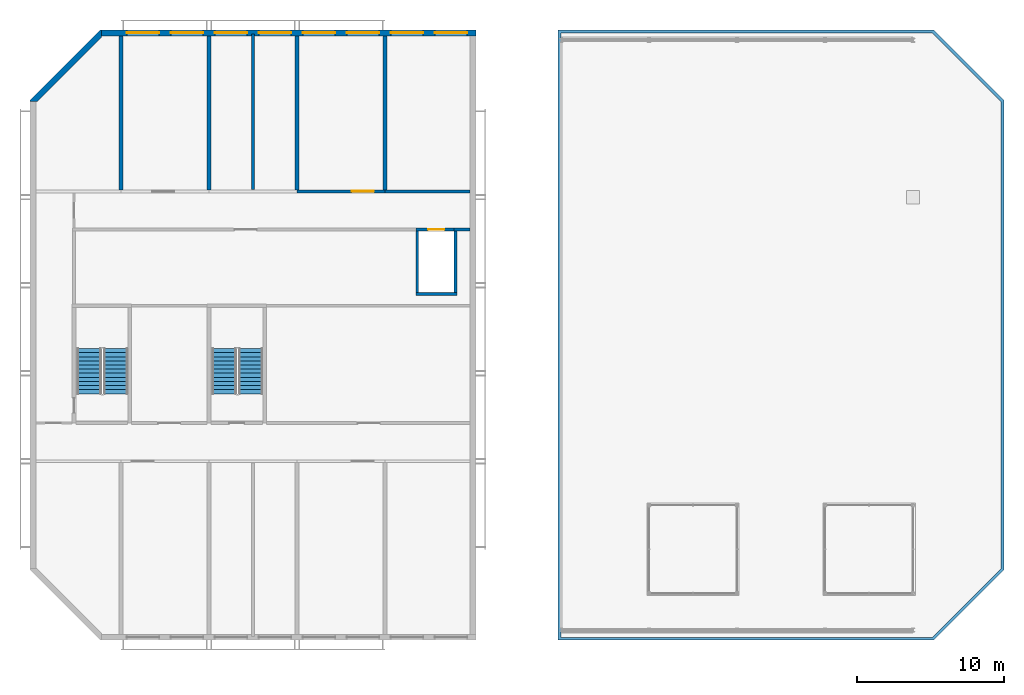
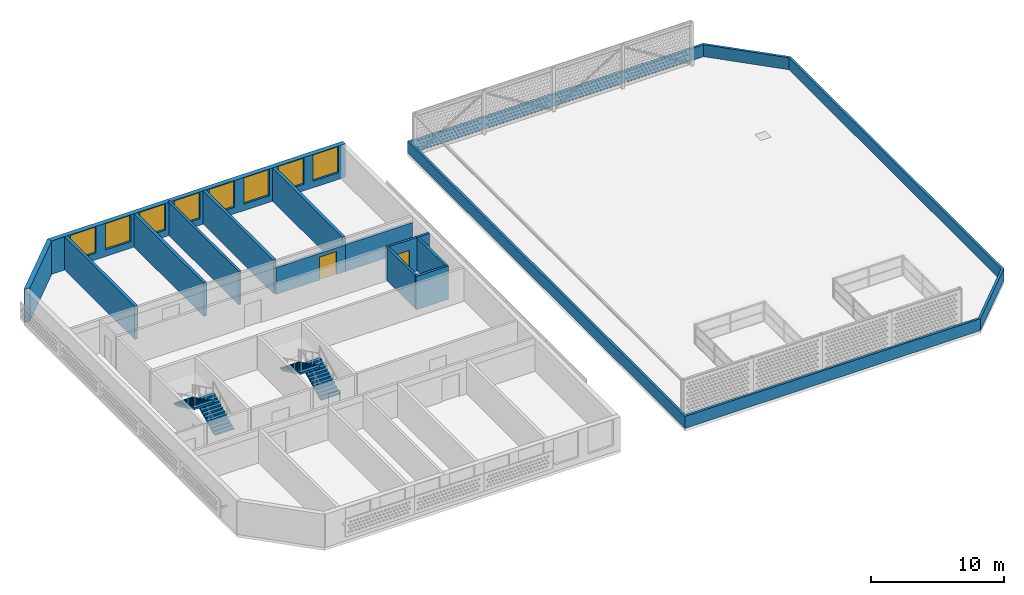
# One storey, part 9 of 18: 15 walls, 8 windows, 4 stair flights, 2 doors, 10 openings, 2 elements without a shape of their own.
"""IFC4 building model written with IfcOpenShell, lengths in metres."""

from ifc_helpers import new_model, si_unit, direction, frame, frame_2d, origin, place, context, subcontext, project, spatial, polyline, rectangle, outline, extrude, material, layer, layer_set, type_object, element, fill, aggregate, save


model = new_model("IFC4")

# Units and contexts
model_context = context("Model", 3, precision=1e-05, world=origin(), true_north=direction((0.0, 1.0)))
body_context = subcontext(model_context, "Body", "Model", "MODEL_VIEW")
ifc_project = project(units=[si_unit("LENGTHUNIT", "METRE"), si_unit("AREAUNIT", "SQUARE_METRE"), si_unit("VOLUMEUNIT", "CUBIC_METRE"), si_unit("PLANEANGLEUNIT", "RADIAN"), si_unit("MASSUNIT", "GRAM", prefix="KILO")], contexts=[model_context])

# Site, building, storey
site_placement = place(None, origin())
site = spatial("IfcSite", under=ifc_project, at=site_placement, CompositionType="ELEMENT")
building_placement = place(site_placement, origin())
building = spatial("IfcBuilding", under=site, at=building_placement, Name="Poui Terraces", CompositionType="ELEMENT")
storey_placement = place(building_placement, frame((0.0, 0.0, 285.60009765625)))
storey = spatial("IfcBuildingStorey", under=building, at=storey_placement, Name="L79 CROWN", CompositionType="ELEMENT", Elevation=285.60009765625)

# Wall, opening, door
ifc_material_1 = material(Name="Concrete 50 MPa", Category="concrete")
ifc_layer_1 = layer(ifc_material_1, 0.199951171875)
ifc_layer_set_1 = layer_set([ifc_layer_1], Name="Concrete 50 MPa")
wall_type_1 = type_object("IfcWallType", Name="CORRIDOR WALL 200 50MPa", PredefinedType="SHEAR", material=ifc_layer_set_1)
wall_1_placement = place(storey_placement, frame((36.0, 30.39990234375, 0.0), z_axis=(0.0, 0.0, 1.0), x_axis=(1.0, 0.0, 0.0)))
wall_1 = element("IfcWall", 1, at=wall_1_placement, inside=storey, type_object=wall_type_1, Name="CORRIDOR WALL LINE E BAY W4", PredefinedType="SHEAR", context=body_context, shape_type="SweptSolid", body=[
    extrude(rectangle(XDim=6.0, YDim=0.199951171875, at=frame_2d((3.0, 0.0))), origin(), (0.0, 0.0, 1.0), 2.449951171875),
])
opening_1_placement = place(wall_1_placement, frame((3.75, 0.0, 0.0)))
opening_1 = element("IfcOpeningElement", 2, at=opening_1_placement, cuts=wall_1, Name="Opening FDP", PredefinedType="OPENING", context=body_context, shape_type="SweptSolid", body=[
    extrude(rectangle(XDim=1.5, YDim=2.10009765625, at=frame_2d((0.75, 1.050048828125))), frame((0.0, 0.10986328125, 0.0), z_axis=(0.0, -1.0, 0.0), x_axis=(1.0, 0.0, 0.0)), (0.0, 0.0, 1.0), 0.219970703125),
])
ifc_material_2 = material(Name="Steel fire door", Category="steel")
door_type_1 = type_object("IfcDoorType", Name="PLANT ROOM DOOR PAIR 1500 X 2100", OperationType="DOUBLE_DOOR_SINGLE_SWING", PredefinedType="DOOR", material=ifc_material_2)
door_1_placement = place(opening_1_placement, frame((1.5, 0.0, 0.0), z_axis=(0.0, 0.0, 1.0), x_axis=(-1.0, 0.0, 0.0)))
door_1 = element("IfcDoor", 3, at=door_1_placement, inside=storey, type_object=door_type_1, Name="PLANT ROOM DOOR PAIR 003", OperationType="DOUBLE_DOOR_SINGLE_SWING", OverallHeight=2.10009765625, OverallWidth=1.5, PredefinedType="DOOR", context=body_context, shape_type="SweptSolid", body=[
    extrude(rectangle(XDim=1.5, YDim=2.10009765625, at=frame_2d((0.75, 1.050048828125))), frame((0.0, 0.02490234375, 0.0), z_axis=(0.0, -1.0, 0.0), x_axis=(1.0, 0.0, 0.0)), (0.0, 0.0, 1.0), 0.050048828125),
])
fill(opening_1, door_1)

# Walls
wall_2_placement = place(storey_placement, frame((42.0, 30.39990234375, 0.0), z_axis=(0.0, 0.0, 1.0), x_axis=(1.0, 0.0, 0.0)))
element("IfcWall", 4, at=wall_2_placement, inside=storey, type_object=wall_type_1, Name="CORRIDOR WALL LINE E BAY W5", PredefinedType="SHEAR", context=body_context, shape_type="SweptSolid", body=[
    extrude(rectangle(XDim=5.800048828125, YDim=0.199951171875, at=frame_2d((2.89990234375, 0.0))), origin(), (0.0, 0.0, 1.0), 2.449951171875),
])
ifc_layer_2 = layer(ifc_material_1, 0.25)
ifc_layer_set_2 = layer_set([ifc_layer_2], Name="Concrete 50 MPa")
wall_type_2 = type_object("IfcWallType", Name="CROSS WALL 250 50MPa", PredefinedType="SHEAR", material=ifc_layer_set_2)
for number, where, z_axis, x_axis, name in (
    (5, (24.0, 30.5, 0.0), (0.0, 0.0, 1.0), (0.0, 1.0, 0.0), "CROSS WALL LINE 5 NORTH"),
    (6, (30.0, 30.5, 0.0), (0.0, 0.0, 1.0), (0.0, 1.0, 0.0), "CROSS WALL LINE 6 NORTH"),
    (7, (36.0, 30.5, 0.0), (0.0, 0.0, 1.0), (0.0, 1.0, 0.0), "CROSS WALL LINE 7 NORTH"),
    (8, (42.0, 30.5, 0.0), (0.0, 0.0, 1.0), (0.0, 1.0, 0.0), "CROSS WALL LINE 8 NORTH"),
):
    element("IfcWall", number, at=place(storey_placement, frame(where, z_axis=z_axis, x_axis=x_axis)), inside=storey, type_object=wall_type_2, Name=name, PredefinedType="SHEAR", context=body_context, shape_type="SweptSolid", body=[
        extrude(rectangle(XDim=10.5, YDim=0.25, at=frame_2d((5.25, 0.0))), origin(), (0.0, 0.0, 1.0), 3.0498046875),
    ])

# Wall, openings, windows
ifc_material_3 = material(Name="Precast concrete 40 MPa", Category="concrete")
ifc_layer_3 = layer(ifc_material_3, 0.39990234375)
ifc_layer_set_3 = layer_set([ifc_layer_3], Name="Precast concrete 40 MPa")
wall_type_3 = type_object("IfcWallType", Name="EXTERNAL WALL 400", PredefinedType="STANDARD", material=ifc_layer_set_3)
wall_3_placement = place(storey_placement, frame((48.199951171875, 41.199951171875, 0.0), z_axis=(0.0, 0.0, 1.0), x_axis=(-1.0, 0.0, 0.0)))
wall_3 = element("IfcWall", 9, at=wall_3_placement, inside=storey, type_object=wall_type_3, Name="EXTERNAL WALL N", PredefinedType="STANDARD", context=body_context, shape_type="SweptSolid", body=[
    extrude(rectangle(XDim=25.51708984375, YDim=0.39990234375, at=frame_2d((12.758544921875, 0.0))), origin(), (0.0, 0.0, 1.0), 3.0498046875),
])
opening_2_placement = place(wall_3_placement, frame((21.60009765625, 0.0, 0.60009765625)))
opening_2 = element("IfcOpeningElement", 10, at=opening_2_placement, cuts=wall_3, Name="Opening W5", PredefinedType="OPENING", context=body_context, shape_type="SweptSolid", body=[
    extrude(rectangle(XDim=2.199951171875, YDim=2.39990234375, at=frame_2d((1.10009765625, 1.199951171875))), frame((0.0, 0.2099609375, 0.0), z_axis=(0.0, -1.0, 0.0), x_axis=(1.0, 0.0, 0.0)), (0.0, 0.0, 1.0), 0.419921875),
])
opening_3_placement = place(wall_3_placement, frame((18.60009765625, 0.0, 0.60009765625)))
opening_3 = element("IfcOpeningElement", 11, at=opening_3_placement, cuts=wall_3, Name="Opening W5", PredefinedType="OPENING", context=body_context, shape_type="SweptSolid", body=[
    extrude(rectangle(XDim=2.199951171875, YDim=2.39990234375, at=frame_2d((1.10009765625, 1.199951171875))), frame((0.0, 0.2099609375, 0.0), z_axis=(0.0, -1.0, 0.0), x_axis=(1.0, 0.0, 0.0)), (0.0, 0.0, 1.0), 0.419921875),
])
opening_4_placement = place(wall_3_placement, frame((15.60009765625, 0.0, 0.60009765625)))
opening_4 = element("IfcOpeningElement", 12, at=opening_4_placement, cuts=wall_3, Name="Opening W5", PredefinedType="OPENING", context=body_context, shape_type="SweptSolid", body=[
    extrude(rectangle(XDim=2.199951171875, YDim=2.39990234375, at=frame_2d((1.10009765625, 1.199951171875))), frame((0.0, 0.2099609375, 0.0), z_axis=(0.0, -1.0, 0.0), x_axis=(1.0, 0.0, 0.0)), (0.0, 0.0, 1.0), 0.419921875),
])
opening_5_placement = place(wall_3_placement, frame((12.60009765625, 0.0, 0.60009765625)))
opening_5 = element("IfcOpeningElement", 13, at=opening_5_placement, cuts=wall_3, Name="Opening W5", PredefinedType="OPENING", context=body_context, shape_type="SweptSolid", body=[
    extrude(rectangle(XDim=2.199951171875, YDim=2.39990234375, at=frame_2d((1.10009765625, 1.199951171875))), frame((0.0, 0.2099609375, 0.0), z_axis=(0.0, -1.0, 0.0), x_axis=(1.0, 0.0, 0.0)), (0.0, 0.0, 1.0), 0.419921875),
])
opening_6_placement = place(wall_3_placement, frame((9.60009765625, 0.0, 0.60009765625)))
opening_6 = element("IfcOpeningElement", 14, at=opening_6_placement, cuts=wall_3, Name="Opening W5", PredefinedType="OPENING", context=body_context, shape_type="SweptSolid", body=[
    extrude(rectangle(XDim=2.199951171875, YDim=2.39990234375, at=frame_2d((1.10009765625, 1.199951171875))), frame((0.0, 0.2099609375, 0.0), z_axis=(0.0, -1.0, 0.0), x_axis=(1.0, 0.0, 0.0)), (0.0, 0.0, 1.0), 0.419921875),
])
opening_7_placement = place(wall_3_placement, frame((6.60009765625, 0.0, 0.60009765625)))
opening_7 = element("IfcOpeningElement", 15, at=opening_7_placement, cuts=wall_3, Name="Opening W5", PredefinedType="OPENING", context=body_context, shape_type="SweptSolid", body=[
    extrude(rectangle(XDim=2.199951171875, YDim=2.39990234375, at=frame_2d((1.10009765625, 1.199951171875))), frame((0.0, 0.2099609375, 0.0), z_axis=(0.0, -1.0, 0.0), x_axis=(1.0, 0.0, 0.0)), (0.0, 0.0, 1.0), 0.419921875),
])
opening_8_placement = place(wall_3_placement, frame((3.60009765625, 0.0, 0.60009765625)))
opening_8 = element("IfcOpeningElement", 16, at=opening_8_placement, cuts=wall_3, Name="Opening W5", PredefinedType="OPENING", context=body_context, shape_type="SweptSolid", body=[
    extrude(rectangle(XDim=2.199951171875, YDim=2.39990234375, at=frame_2d((1.10009765625, 1.199951171875))), frame((0.0, 0.2099609375, 0.0), z_axis=(0.0, -1.0, 0.0), x_axis=(1.0, 0.0, 0.0)), (0.0, 0.0, 1.0), 0.419921875),
])
opening_9_placement = place(wall_3_placement, frame((0.60009765625, 0.0, 0.60009765625)))
opening_9 = element("IfcOpeningElement", 17, at=opening_9_placement, cuts=wall_3, Name="Opening W5", PredefinedType="OPENING", context=body_context, shape_type="SweptSolid", body=[
    extrude(rectangle(XDim=2.199951171875, YDim=2.39990234375, at=frame_2d((1.10009765625, 1.199951171875))), frame((0.0, 0.2099609375, 0.0), z_axis=(0.0, -1.0, 0.0), x_axis=(1.0, 0.0, 0.0)), (0.0, 0.0, 1.0), 0.419921875),
])
ifc_material_4 = material(Name="Clear glass in aluminium frame", Category="aluminium")
window_type = type_object("IfcWindowType", Name="WINDOW 2200X2400", PartitioningType="TRIPLE_PANEL_HORIZONTAL", PredefinedType="WINDOW", material=ifc_material_4)
window_1_placement = place(opening_2_placement, origin())
window_1 = element("IfcWindow", 18, at=window_1_placement, inside=storey, type_object=window_type, Name="W5 WINDOW", OverallHeight=2.39990234375, OverallWidth=2.199951171875, PartitioningType="TRIPLE_PANEL_HORIZONTAL", PredefinedType="WINDOW", context=body_context, shape_type="SweptSolid", body=[
    extrude(rectangle(XDim=2.199951171875, YDim=2.39990234375, at=frame_2d((1.10009765625, 1.199951171875))), frame((0.0, 0.030029296875, 0.0), z_axis=(0.0, -1.0, 0.0), x_axis=(1.0, 0.0, 0.0)), (0.0, 0.0, 1.0), 0.06005859375),
])
fill(opening_2, window_1)
window_2_placement = place(opening_3_placement, origin())
window_2 = element("IfcWindow", 19, at=window_2_placement, inside=storey, type_object=window_type, Name="W5 WINDOW", OverallHeight=2.39990234375, OverallWidth=2.199951171875, PartitioningType="TRIPLE_PANEL_HORIZONTAL", PredefinedType="WINDOW", context=body_context, shape_type="SweptSolid", body=[
    extrude(rectangle(XDim=2.199951171875, YDim=2.39990234375, at=frame_2d((1.10009765625, 1.199951171875))), frame((0.0, 0.030029296875, 0.0), z_axis=(0.0, -1.0, 0.0), x_axis=(1.0, 0.0, 0.0)), (0.0, 0.0, 1.0), 0.06005859375),
])
fill(opening_3, window_2)
window_3_placement = place(opening_4_placement, origin())
window_3 = element("IfcWindow", 20, at=window_3_placement, inside=storey, type_object=window_type, Name="W5 WINDOW", OverallHeight=2.39990234375, OverallWidth=2.199951171875, PartitioningType="TRIPLE_PANEL_HORIZONTAL", PredefinedType="WINDOW", context=body_context, shape_type="SweptSolid", body=[
    extrude(rectangle(XDim=2.199951171875, YDim=2.39990234375, at=frame_2d((1.10009765625, 1.199951171875))), frame((0.0, 0.030029296875, 0.0), z_axis=(0.0, -1.0, 0.0), x_axis=(1.0, 0.0, 0.0)), (0.0, 0.0, 1.0), 0.06005859375),
])
fill(opening_4, window_3)
window_4_placement = place(opening_5_placement, origin())
window_4 = element("IfcWindow", 21, at=window_4_placement, inside=storey, type_object=window_type, Name="W5 WINDOW", OverallHeight=2.39990234375, OverallWidth=2.199951171875, PartitioningType="TRIPLE_PANEL_HORIZONTAL", PredefinedType="WINDOW", context=body_context, shape_type="SweptSolid", body=[
    extrude(rectangle(XDim=2.199951171875, YDim=2.39990234375, at=frame_2d((1.10009765625, 1.199951171875))), frame((0.0, 0.030029296875, 0.0), z_axis=(0.0, -1.0, 0.0), x_axis=(1.0, 0.0, 0.0)), (0.0, 0.0, 1.0), 0.06005859375),
])
fill(opening_5, window_4)
window_5_placement = place(opening_6_placement, origin())
window_5 = element("IfcWindow", 22, at=window_5_placement, inside=storey, type_object=window_type, Name="W5 WINDOW", OverallHeight=2.39990234375, OverallWidth=2.199951171875, PartitioningType="TRIPLE_PANEL_HORIZONTAL", PredefinedType="WINDOW", context=body_context, shape_type="SweptSolid", body=[
    extrude(rectangle(XDim=2.199951171875, YDim=2.39990234375, at=frame_2d((1.10009765625, 1.199951171875))), frame((0.0, 0.030029296875, 0.0), z_axis=(0.0, -1.0, 0.0), x_axis=(1.0, 0.0, 0.0)), (0.0, 0.0, 1.0), 0.06005859375),
])
fill(opening_6, window_5)
window_6_placement = place(opening_7_placement, origin())
window_6 = element("IfcWindow", 23, at=window_6_placement, inside=storey, type_object=window_type, Name="W5 WINDOW", OverallHeight=2.39990234375, OverallWidth=2.199951171875, PartitioningType="TRIPLE_PANEL_HORIZONTAL", PredefinedType="WINDOW", context=body_context, shape_type="SweptSolid", body=[
    extrude(rectangle(XDim=2.199951171875, YDim=2.39990234375, at=frame_2d((1.10009765625, 1.199951171875))), frame((0.0, 0.030029296875, 0.0), z_axis=(0.0, -1.0, 0.0), x_axis=(1.0, 0.0, 0.0)), (0.0, 0.0, 1.0), 0.06005859375),
])
fill(opening_7, window_6)
window_7_placement = place(opening_8_placement, origin())
window_7 = element("IfcWindow", 24, at=window_7_placement, inside=storey, type_object=window_type, Name="W5 WINDOW", OverallHeight=2.39990234375, OverallWidth=2.199951171875, PartitioningType="TRIPLE_PANEL_HORIZONTAL", PredefinedType="WINDOW", context=body_context, shape_type="SweptSolid", body=[
    extrude(rectangle(XDim=2.199951171875, YDim=2.39990234375, at=frame_2d((1.10009765625, 1.199951171875))), frame((0.0, 0.030029296875, 0.0), z_axis=(0.0, -1.0, 0.0), x_axis=(1.0, 0.0, 0.0)), (0.0, 0.0, 1.0), 0.06005859375),
])
fill(opening_8, window_7)
window_8_placement = place(opening_9_placement, origin())
window_8 = element("IfcWindow", 25, at=window_8_placement, inside=storey, type_object=window_type, Name="W5 WINDOW", OverallHeight=2.39990234375, OverallWidth=2.199951171875, PartitioningType="TRIPLE_PANEL_HORIZONTAL", PredefinedType="WINDOW", context=body_context, shape_type="SweptSolid", body=[
    extrude(rectangle(XDim=2.199951171875, YDim=2.39990234375, at=frame_2d((1.10009765625, 1.199951171875))), frame((0.0, 0.030029296875, 0.0), z_axis=(0.0, -1.0, 0.0), x_axis=(1.0, 0.0, 0.0)), (0.0, 0.0, 1.0), 0.06005859375),
])
fill(opening_9, window_8)

# Walls
ifc_material_5 = material(Name="Fire-rated masonry wall", Category="masonry")
ifc_layer_4 = layer(ifc_material_5, 0.199951171875)
ifc_layer_set_4 = layer_set([ifc_layer_4], Name="Fire-rated masonry wall")
wall_type_4 = type_object("IfcWallType", Name="PLANT ROOM WALL 200", PredefinedType="PARTITIONING", material=ifc_layer_set_4)
wall_4_placement = place(storey_placement, frame((46.699951171875, 27.800048828125, 0.0), z_axis=(0.0, 0.0, 1.0), x_axis=(1.0, 0.0, 0.0)))
element("IfcWall", 26, at=wall_4_placement, inside=storey, type_object=wall_type_4, Name="PLANT ROOM WALL 200", PredefinedType="PARTITIONING", context=body_context, shape_type="SweptSolid", body=[
    extrude(rectangle(XDim=1.090087890625, YDim=0.199951171875, at=frame_2d((0.544921875, 0.0))), origin(), (0.0, 0.0, 1.0), 3.0498046875),
])
wall_5_placement = place(storey_placement, frame((33.0, 30.510009765625, 0.0), z_axis=(0.0, 0.0, 1.0), x_axis=(0.0, 1.0, 0.0)))
element("IfcWall", 27, at=wall_5_placement, inside=storey, type_object=wall_type_4, Name="PLANT ROOM WALL 200", PredefinedType="PARTITIONING", context=body_context, shape_type="SweptSolid", body=[
    extrude(rectangle(XDim=10.6298828125, YDim=0.199951171875, at=frame_2d((5.31494140625, 0.0))), origin(), (0.0, 0.0, 1.0), 3.0498046875),
])
ifc_layer_5 = layer(ifc_material_3, 0.199951171875)
ifc_layer_set_5 = layer_set([ifc_layer_5], Name="Precast concrete 40 MPa")
wall_type_5 = type_object("IfcWallType", Name="ROOF PARAPET 200", PredefinedType="PARAPET", material=ifc_layer_set_5)
wall_6_placement = place(storey_placement, origin())
element("IfcWall", 28, at=wall_6_placement, inside=storey, type_object=wall_type_5, Name="ROOF PARAPET EAST PEAK", PredefinedType="PARAPET", context=body_context, shape_type="SweptSolid", body=[
    extrude(outline(polyline([(53.800048828125, -0.199951171875), (79.39990234375, -0.199951171875), (84.199951171875, 4.60009765625), (84.199951171875, 36.60009765625), (79.39990234375, 41.39990234375), (53.800048828125, 41.39990234375), (53.800048828125, -0.199951171875)]), holes=[polyline([(54.0, 0.0), (54.0, 41.199951171875), (79.317138671875, 41.199951171875), (84.0, 36.51708984375), (84.0, 4.682861328125), (79.317138671875, 0.0), (54.0, 0.0)])]), origin(), (0.0, 0.0, 1.0), 1.099853515625),
])
ifc_material_6 = material(Name="Fire-rated masonry shaft wall", Category="masonry")
ifc_layer_6 = layer(ifc_material_6, 0.199951171875)
ifc_layer_set_6 = layer_set([ifc_layer_6], Name="Fire-rated masonry shaft wall")
wall_type_6 = type_object("IfcWallType", Name="SHAFT WALL 200", PredefinedType="PARTITIONING", material=ifc_layer_set_6)
wall_7_placement = place(storey_placement, frame((44.10009765625, 23.39990234375, 0.0), z_axis=(0.0, 0.0, 1.0), x_axis=(1.0, 0.0, 0.0)))
element("IfcWall", 29, at=wall_7_placement, inside=storey, type_object=wall_type_6, Name="SHAFT WALL 200", PredefinedType="PARTITIONING", context=body_context, shape_type="SweptSolid", body=[
    extrude(rectangle(XDim=2.7998046875, YDim=0.199951171875, at=frame_2d((1.39990234375, 0.0))), origin(), (0.0, 0.0, 1.0), 3.0498046875),
])

# Wall, opening, door
wall_8_placement = place(storey_placement, frame((44.10009765625, 27.800048828125, 0.0), z_axis=(0.0, 0.0, 1.0), x_axis=(1.0, 0.0, 0.0)))
wall_8 = element("IfcWall", 30, at=wall_8_placement, inside=storey, type_object=wall_type_6, Name="SHAFT WALL 200", PredefinedType="PARTITIONING", context=body_context, shape_type="SweptSolid", body=[
    extrude(rectangle(XDim=2.7998046875, YDim=0.199951171875, at=frame_2d((1.39990234375, 0.0))), origin(), (0.0, 0.0, 1.0), 3.0498046875),
])
opening_10_placement = place(wall_8_placement, frame((0.85009765625, 0.0, 0.0)))
opening_10 = element("IfcOpeningElement", 31, at=opening_10_placement, cuts=wall_8, Name="Opening LD", PredefinedType="OPENING", context=body_context, shape_type="SweptSolid", body=[
    extrude(rectangle(XDim=1.10009765625, YDim=2.10009765625, at=frame_2d((0.550048828125, 1.050048828125))), frame((0.0, 0.10986328125, 0.0), z_axis=(0.0, -1.0, 0.0), x_axis=(1.0, 0.0, 0.0)), (0.0, 0.0, 1.0), 0.219970703125),
])
ifc_material_7 = material(Name="Stainless steel sliding door", Category="steel")
door_type_2 = type_object("IfcDoorType", Name="LIFT LANDING DOOR 1100 X 2100", OperationType="DOUBLE_DOOR_SLIDING", PredefinedType="DOOR", material=ifc_material_7)
door_2_placement = place(opening_10_placement, origin())
door_2 = element("IfcDoor", 32, at=door_2_placement, inside=storey, type_object=door_type_2, Name="LANDING DOOR", OperationType="DOUBLE_DOOR_SLIDING", OverallHeight=2.10009765625, OverallWidth=1.10009765625, PredefinedType="DOOR", context=body_context, shape_type="SweptSolid", body=[
    extrude(rectangle(XDim=1.10009765625, YDim=2.10009765625, at=frame_2d((0.550048828125, 1.050048828125))), frame((0.0, 0.02490234375, 0.0), z_axis=(0.0, -1.0, 0.0), x_axis=(1.0, 0.0, 0.0)), (0.0, 0.0, 1.0), 0.050048828125),
])
fill(opening_10, door_2)

# Walls
for number, where, z_axis, x_axis, name in (
    (33, (44.199951171875, 23.5, 0.0), (0.0, 0.0, 1.0), (0.0, 1.0, 0.0), "SHAFT WALL 200"),
    (34, (46.800048828125, 23.5, 0.0), (0.0, 0.0, 1.0), (0.0, 1.0, 0.0), "SHAFT WALL 200"),
):
    element("IfcWall", number, at=place(storey_placement, frame(where, z_axis=z_axis, x_axis=x_axis)), inside=storey, type_object=wall_type_6, Name=name, PredefinedType="PARTITIONING", context=body_context, shape_type="SweptSolid", body=[
        extrude(rectangle(XDim=4.199951171875, YDim=0.199951171875, at=frame_2d((2.10009765625, 0.0))), origin(), (0.0, 0.0, 1.0), 3.0498046875),
    ])
ifc_layer_7 = layer(ifc_material_3, 0.39990234375)
ifc_layer_set_7 = layer_set([ifc_layer_7], Name="Precast concrete 40 MPa")
wall_type_7 = type_object("IfcWallType", Name="TERRACOTTA CLAD CHAMFER WALL 400", PredefinedType="STANDARD", material=ifc_layer_set_7)
wall_9_placement = place(storey_placement, origin())
element("IfcWall", 35, at=wall_9_placement, inside=storey, type_object=wall_type_7, Name="CHAMFER WALL CH03", PredefinedType="STANDARD", context=body_context, shape_type="SweptSolid", body=[
    extrude(outline(polyline([(22.682861328125, 41.39990234375), (22.60009765625, 41.39990234375), (17.800048828125, 36.60009765625), (17.800048828125, 36.51708984375), (18.28271484375, 36.51708984375), (22.682861328125, 40.917236328125), (22.682861328125, 41.39990234375)])), origin(), (0.0, 0.0, 1.0), 3.0498046875),
])

# Stair, stair flights
stair_type = type_object("IfcStairType", Name="EXIT STAIR 1650 50 MPA", PredefinedType="HALF_TURN_STAIR", material=ifc_material_1)
stair_1_placement = place(storey_placement, origin())
stair_1 = element("IfcStair", 36, at=stair_1_placement, inside=storey, type_object=stair_type, Name="L79 CROWN CORE STAIR WEST", PredefinedType="HALF_TURN_STAIR")
ifc_layer_8 = layer(ifc_material_1, 0.14990234375)
ifc_layer_set_8 = layer_set([ifc_layer_8], Name="Concrete 50 MPa")
stair_flight_type = type_object("IfcStairFlightType", Name="STAIR FLIGHT 12 RISERS 138 RISE 50 MPA", PredefinedType="STRAIGHT", material=ifc_layer_set_8)
stair_flight_1_placement = place(storey_placement, frame((32.85009765625, 16.60009765625, 0.0), z_axis=(0.0, 0.0, 1.0), x_axis=(0.0, 1.0, 0.0)))
stair_flight_1 = element("IfcStairFlight", 37, at=stair_flight_1_placement, type_object=stair_flight_type, Name="ST-CW flight 1", NumberOfRisers=12, NumberOfTreads=11, PredefinedType="STRAIGHT", RiserHeight=0.1375, TreadLength=0.28, context=body_context, shape_type="SweptSolid", body=[
    extrude(outline(polyline([(0.0, 0.0), (0.0, 0.137451171875), (0.280029296875, 0.137451171875), (0.280029296875, 0.27490234375), (0.56005859375, 0.27490234375), (0.56005859375, 0.41259765625), (0.840087890625, 0.41259765625), (0.840087890625, 0.550048828125), (1.1201171875, 0.550048828125), (1.1201171875, 0.6875), (1.39990234375, 0.6875), (1.39990234375, 0.824951171875), (1.679931640625, 0.824951171875), (1.679931640625, 0.96240234375), (1.9599609375, 0.96240234375), (1.9599609375, 1.10009765625), (2.239990234375, 1.10009765625), (2.239990234375, 1.237548828125), (2.52001953125, 1.237548828125), (2.52001953125, 1.375), (2.800048828125, 1.375), (2.800048828125, 1.512451171875), (3.080078125, 1.512451171875), (3.080078125, 1.64990234375), (3.080078125, 1.345458984375), (0.340087890625, 0.0), (0.0, 0.0)])), frame((0.0, 0.824951171875, 0.0), z_axis=(0.0, -1.0, 0.0), x_axis=(1.0, 0.0, 0.0)), (0.0, 0.0, 1.0), 1.64990234375),
])
stair_flight_2_placement = place(storey_placement, frame((31.050048828125, 19.679931640625, 1.64990234375), z_axis=(0.0, 0.0, 1.0), x_axis=(0.0, -1.0, 0.0)))
stair_flight_2 = element("IfcStairFlight", 38, at=stair_flight_2_placement, type_object=stair_flight_type, Name="ST-CW flight 2", NumberOfRisers=12, NumberOfTreads=11, PredefinedType="STRAIGHT", RiserHeight=0.1375, TreadLength=0.28, context=body_context, shape_type="SweptSolid", body=[
    extrude(outline(polyline([(0.0, 0.0), (0.0, 0.137451171875), (0.280029296875, 0.137451171875), (0.280029296875, 0.27490234375), (0.56005859375, 0.27490234375), (0.56005859375, 0.41259765625), (0.840087890625, 0.41259765625), (0.840087890625, 0.550048828125), (1.1201171875, 0.550048828125), (1.1201171875, 0.6875), (1.39990234375, 0.6875), (1.39990234375, 0.824951171875), (1.679931640625, 0.824951171875), (1.679931640625, 0.96240234375), (1.9599609375, 0.96240234375), (1.9599609375, 1.10009765625), (2.239990234375, 1.10009765625), (2.239990234375, 1.237548828125), (2.52001953125, 1.237548828125), (2.52001953125, 1.375), (2.800048828125, 1.375), (2.800048828125, 1.512451171875), (3.080078125, 1.512451171875), (3.080078125, 1.64990234375), (3.080078125, 1.345458984375), (0.340087890625, 0.0), (0.0, 0.0)])), frame((0.0, 0.824951171875, 0.0), z_axis=(0.0, -1.0, 0.0), x_axis=(1.0, 0.0, 0.0)), (0.0, 0.0, 1.0), 1.64990234375),
])
aggregate(stair_1, [stair_flight_1, stair_flight_2])

stair_2_placement = place(storey_placement, origin())
stair_2 = element("IfcStair", 39, at=stair_2_placement, inside=storey, type_object=stair_type, Name="L79 CROWN TIP STAIR WEST", PredefinedType="HALF_TURN_STAIR")
stair_flight_3_placement = place(storey_placement, frame((23.64990234375, 16.60009765625, 0.0), z_axis=(0.0, 0.0, 1.0), x_axis=(0.0, 1.0, 0.0)))
stair_flight_3 = element("IfcStairFlight", 40, at=stair_flight_3_placement, type_object=stair_flight_type, Name="ST-W flight 1", NumberOfRisers=12, NumberOfTreads=11, PredefinedType="STRAIGHT", RiserHeight=0.1375, TreadLength=0.28, context=body_context, shape_type="SweptSolid", body=[
    extrude(outline(polyline([(0.0, 0.0), (0.0, 0.137451171875), (0.280029296875, 0.137451171875), (0.280029296875, 0.27490234375), (0.56005859375, 0.27490234375), (0.56005859375, 0.41259765625), (0.840087890625, 0.41259765625), (0.840087890625, 0.550048828125), (1.1201171875, 0.550048828125), (1.1201171875, 0.6875), (1.39990234375, 0.6875), (1.39990234375, 0.824951171875), (1.679931640625, 0.824951171875), (1.679931640625, 0.96240234375), (1.9599609375, 0.96240234375), (1.9599609375, 1.10009765625), (2.239990234375, 1.10009765625), (2.239990234375, 1.237548828125), (2.52001953125, 1.237548828125), (2.52001953125, 1.375), (2.800048828125, 1.375), (2.800048828125, 1.512451171875), (3.080078125, 1.512451171875), (3.080078125, 1.64990234375), (3.080078125, 1.345458984375), (0.340087890625, 0.0), (0.0, 0.0)])), frame((0.0, 0.824951171875, 0.0), z_axis=(0.0, -1.0, 0.0), x_axis=(1.0, 0.0, 0.0)), (0.0, 0.0, 1.0), 1.64990234375),
])
stair_flight_4_placement = place(storey_placement, frame((21.85009765625, 19.679931640625, 1.64990234375), z_axis=(0.0, 0.0, 1.0), x_axis=(0.0, -1.0, 0.0)))
stair_flight_4 = element("IfcStairFlight", 41, at=stair_flight_4_placement, type_object=stair_flight_type, Name="ST-W flight 2", NumberOfRisers=12, NumberOfTreads=11, PredefinedType="STRAIGHT", RiserHeight=0.1375, TreadLength=0.28, context=body_context, shape_type="SweptSolid", body=[
    extrude(outline(polyline([(0.0, 0.0), (0.0, 0.137451171875), (0.280029296875, 0.137451171875), (0.280029296875, 0.27490234375), (0.56005859375, 0.27490234375), (0.56005859375, 0.41259765625), (0.840087890625, 0.41259765625), (0.840087890625, 0.550048828125), (1.1201171875, 0.550048828125), (1.1201171875, 0.6875), (1.39990234375, 0.6875), (1.39990234375, 0.824951171875), (1.679931640625, 0.824951171875), (1.679931640625, 0.96240234375), (1.9599609375, 0.96240234375), (1.9599609375, 1.10009765625), (2.239990234375, 1.10009765625), (2.239990234375, 1.237548828125), (2.52001953125, 1.237548828125), (2.52001953125, 1.375), (2.800048828125, 1.375), (2.800048828125, 1.512451171875), (3.080078125, 1.512451171875), (3.080078125, 1.64990234375), (3.080078125, 1.345458984375), (0.340087890625, 0.0), (0.0, 0.0)])), frame((0.0, 0.824951171875, 0.0), z_axis=(0.0, -1.0, 0.0), x_axis=(1.0, 0.0, 0.0)), (0.0, 0.0, 1.0), 1.64990234375),
])
aggregate(stair_2, [stair_flight_3, stair_flight_4])

save(model, "model.ifc")
